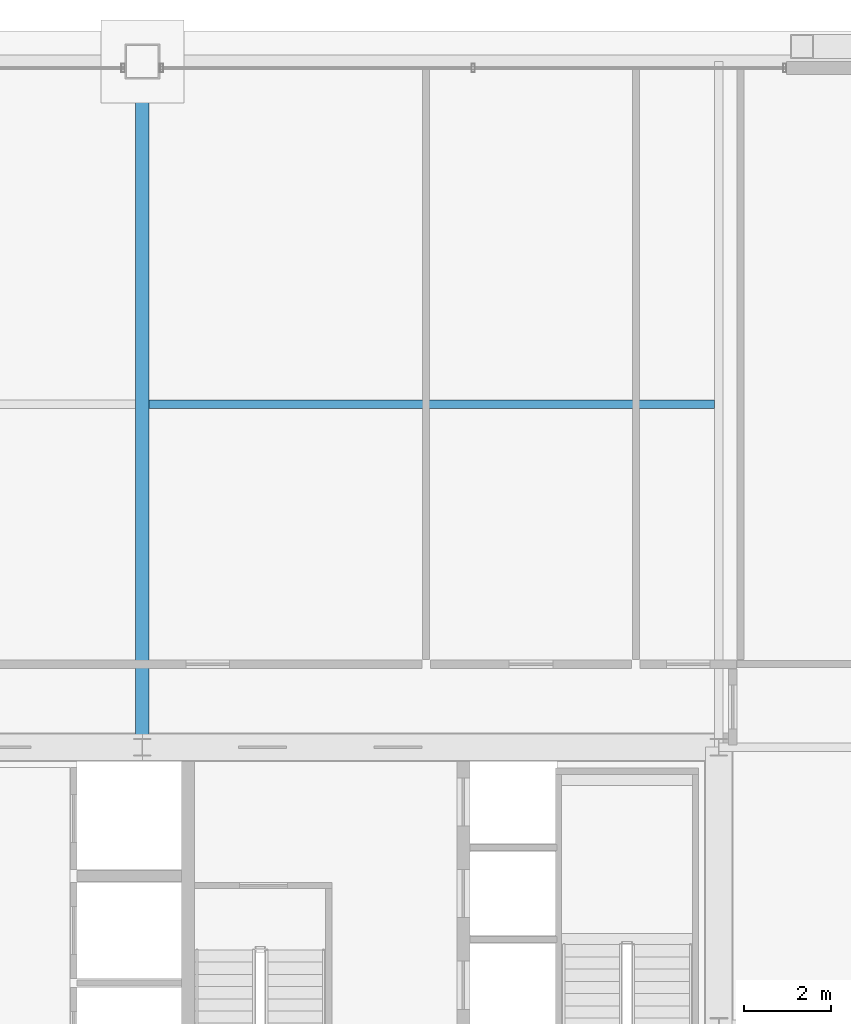
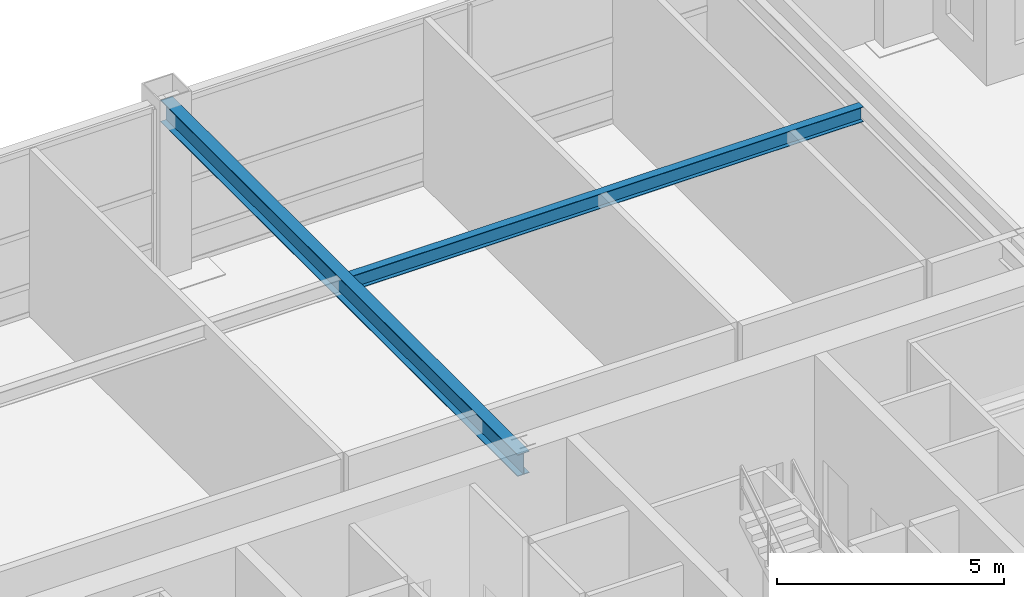
# One storey, part 25 of 34: 2 beams.
"""IFC4 building model written with IfcOpenShell, lengths in metres."""

from ifc_helpers import new_model, si_unit, direction, frame, origin, origin_2d, place, context, subcontext, project, spatial, i_section, extrude, source, transform, mapped, material, material_profile, profile_set, type_object, element, save


model = new_model("IFC4")

# Units and contexts
model_context = context("Model", 3, precision=1e-05, world=origin(), true_north=direction((0.0, 1.0)))
body_context = subcontext(model_context, "Body", "Model", "MODEL_VIEW")
ifc_project = project(units=[si_unit("LENGTHUNIT", "METRE"), si_unit("AREAUNIT", "SQUARE_METRE"), si_unit("VOLUMEUNIT", "CUBIC_METRE"), si_unit("PLANEANGLEUNIT", "RADIAN"), si_unit("MASSUNIT", "GRAM", prefix="KILO"), si_unit("THERMODYNAMICTEMPERATUREUNIT", "KELVIN"), si_unit("POWERUNIT", "WATT")], contexts=[model_context])

# Site, building, storey
site_placement = place(None, origin())
site = spatial("IfcSite", under=ifc_project, at=site_placement, CompositionType="ELEMENT")
building_placement = place(site_placement, origin())
building = spatial("IfcBuilding", under=site, at=building_placement, Name="Yuzanri Waterfront Tower", CompositionType="ELEMENT")
storey_placement = place(building_placement, frame((0.0, 0.0, 166.800048828125)))
storey = spatial("IfcBuildingStorey", under=building, at=storey_placement, Name="L44", CompositionType="ELEMENT", Elevation=166.800048828125)

# Beams
ifc_material_1 = material(Name="Steel Q355B", Category="steel")
ifc_material_profile_1 = material_profile(ifc_material_1, i_section(OverallWidth=0.199951171875, OverallDepth=0.39990234375, WebThickness=0.008056640625, FlangeThickness=0.012939453125, at=origin_2d()), Name="HN 400x200x8x13")
ifc_profile_set_1 = profile_set([ifc_material_profile_1], Name="Steel Q355B")
beam_type_1 = type_object("IfcBeamType", Name="Floor Joist Q355B HN 400x200", PredefinedType="JOIST", material=ifc_profile_set_1)
shared_shape_1 = source(origin(), body_context, "Body", "SweptSolid", [
    extrude(i_section(OverallWidth=0.199951171875, OverallDepth=0.39990234375, WebThickness=0.008056640625, FlangeThickness=0.012939453125, at=origin_2d()), origin(), (0.0, 0.0, 1.0), 12.9501953125),
])
beam_1_placement = place(storey_placement, frame((37.14990234375, 40.050048828125, 4.300048828125), z_axis=(1.0, 0.0, 0.0), x_axis=(0.0, 1.0, 0.0)))
element("IfcBeam", 1, at=beam_1_placement, inside=storey, type_object=beam_type_1, Name="L44 North Bay Joist E", PredefinedType="JOIST", context=body_context, shape_type="MappedRepresentation", body=[
    mapped(shared_shape_1, transform((0.0, 0.0, 0.0), scale=1.0)),
])
ifc_material_2 = material(Name="Steel Q355B", Category="steel")
ifc_material_profile_2 = material_profile(ifc_material_2, i_section(OverallWidth=0.300048828125, OverallDepth=0.587890625, WebThickness=0.011962890625, FlangeThickness=0.02001953125, at=origin_2d()), Name="HM 588x300x12x20")
ifc_profile_set_2 = profile_set([ifc_material_profile_2], Name="Steel Q355B")
beam_type_2 = type_object("IfcBeamType", Name="Primary Floor Girder Q355B HM 588x300", PredefinedType="BEAM", material=ifc_profile_set_2)
shared_shape_2 = source(origin(), body_context, "Body", "SweptSolid", [
    extrude(i_section(OverallWidth=0.300048828125, OverallDepth=0.587890625, WebThickness=0.011962890625, FlangeThickness=0.02001953125, at=origin_2d()), origin(), (0.0, 0.0, 1.0), 15.699951171875),
])
beam_2_placement = place(storey_placement, frame((37.0, 32.199951171875, 4.2060546875), z_axis=(0.0, 1.0, 0.0), x_axis=(-1.0, 0.0, 0.0)))
element("IfcBeam", 2, at=beam_2_placement, inside=storey, type_object=beam_type_2, Name="L44 North Grid Girder", PredefinedType="BEAM", context=body_context, shape_type="MappedRepresentation", body=[
    mapped(shared_shape_2, transform((0.0, 0.0, 0.0), scale=1.0)),
])

save(model, "model.ifc")
